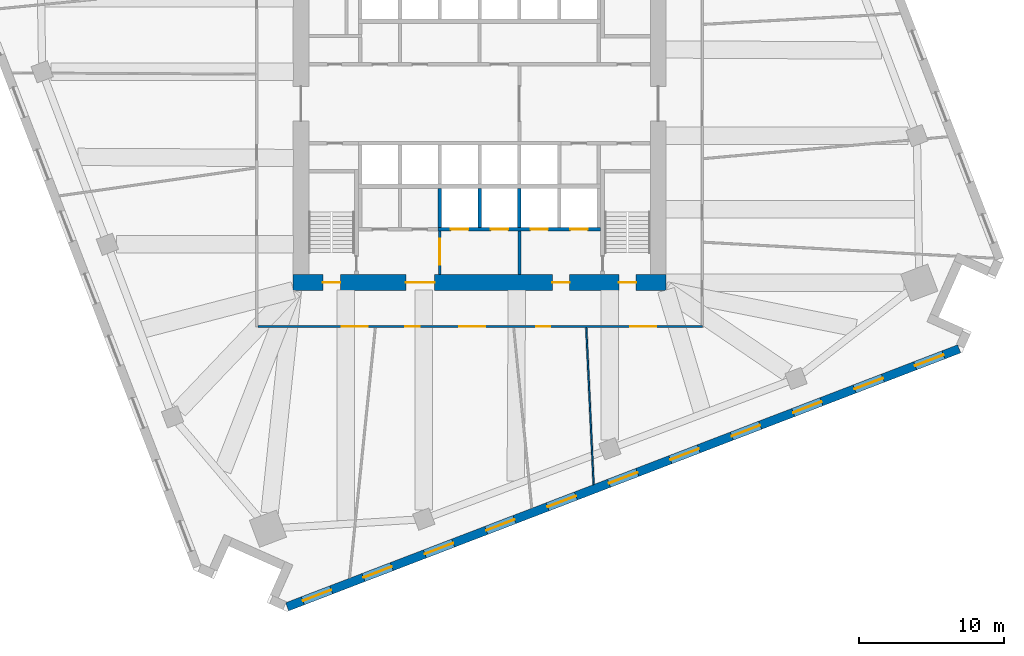
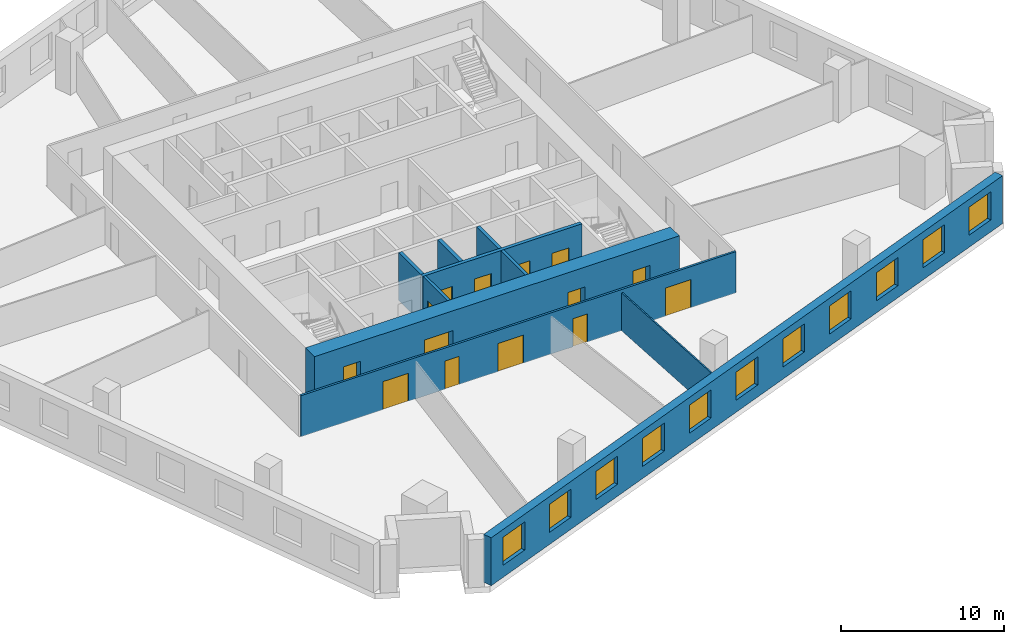
# One storey, part 8 of 14: 14 doors, 11 windows, 10 walls, 25 openings.
"""IFC4 building model written with IfcOpenShell, lengths in metres."""

from ifc_helpers import new_model, si_unit, direction, frame, frame_2d, origin, place, context, subcontext, project, spatial, rectangle, extrude, material, layer, layer_set, type_object, element, fill, save


model = new_model("IFC4")

# Units and contexts
model_context = context("Model", 3, precision=1e-05, world=origin(), true_north=direction((0.0, 1.0)))
body_context = subcontext(model_context, "Body", "Model", "MODEL_VIEW")
ifc_project = project(units=[si_unit("LENGTHUNIT", "METRE"), si_unit("AREAUNIT", "SQUARE_METRE"), si_unit("VOLUMEUNIT", "CUBIC_METRE"), si_unit("PLANEANGLEUNIT", "RADIAN"), si_unit("MASSUNIT", "GRAM", prefix="KILO")], contexts=[model_context])

# Site, building, storey
site_placement = place(None, origin())
site = spatial("IfcSite", under=ifc_project, at=site_placement, CompositionType="ELEMENT")
building_placement = place(site_placement, origin())
building = spatial("IfcBuilding", under=site, at=building_placement, Name="Dilmun Exchange Tower", CompositionType="ELEMENT")
storey_placement = place(building_placement, frame((0.0, 0.0, 106.10009765625)))
storey = spatial("IfcBuildingStorey", under=building, at=storey_placement, Name="L24", CompositionType="ELEMENT", Elevation=106.10009765625)

# Wall, opening, door
ifc_material_1 = material(Name="Concrete C40/50", Category="concrete")
ifc_layer_1 = layer(ifc_material_1, 0.199951171875)
ifc_layer_set_1 = layer_set([ifc_layer_1], Name="Concrete C40/50")
wall_type_1 = type_object("IfcWallType", Name="Core partition wall 200", PredefinedType="PARTITIONING", material=ifc_layer_set_1)
wall_1_placement = place(storey_placement, frame((-2.75, -11.794921875, 0.0), z_axis=(0.0, 0.0, 1.0), x_axis=(0.0, 1.0, 0.0)))
wall_1 = element("IfcWall", 1, at=wall_1_placement, inside=storey, type_object=wall_type_1, Name="L24 core partition wall 01", PredefinedType="PARTITIONING", context=body_context, shape_type="SweptSolid", body=[
    extrude(rectangle(XDim=2.989990234375, YDim=0.199951171875, at=frame_2d((1.4951171875, 0.0))), origin(), (0.0, 0.0, 1.0), 3.579833984375),
])
opening_1_placement = place(wall_1_placement, frame((0.657470703125, 0.0, 0.0)))
opening_1 = element("IfcOpeningElement", 2, at=opening_1_placement, cuts=wall_1, Name="Opening CD5", PredefinedType="OPENING", context=body_context, shape_type="SweptSolid", body=[
    extrude(rectangle(XDim=1.800048828125, YDim=2.10009765625, at=frame_2d((0.89990234375, 1.050048828125))), frame((0.0, 0.10986328125, 0.0), z_axis=(0.0, -1.0, 0.0), x_axis=(1.0, 0.0, 0.0)), (0.0, 0.0, 1.0), 0.219970703125),
])
ifc_material_2 = material(Name="Fire-rated steel door set", Category="steel")
door_type_1 = type_object("IfcDoorType", Name="Stair exit door 1800x2100", OperationType="SINGLE_SWING_LEFT", PredefinedType="DOOR", material=ifc_material_2)
door_1_placement = place(opening_1_placement, origin())
door_1 = element("IfcDoor", 3, at=door_1_placement, inside=storey, type_object=door_type_1, Name="L24 door Service lobby east", OperationType="SINGLE_SWING_LEFT", OverallHeight=2.10009765625, OverallWidth=1.800048828125, PredefinedType="DOOR", context=body_context, shape_type="SweptSolid", body=[
    extrude(rectangle(XDim=1.800048828125, YDim=2.10009765625, at=frame_2d((0.89990234375, 1.050048828125))), frame((0.0, 0.02490234375, 0.0), z_axis=(0.0, -1.0, 0.0), x_axis=(1.0, 0.0, 0.0)), (0.0, 0.0, 1.0), 0.050048828125),
])
fill(opening_1, door_1)

# Wall
wall_2_placement = place(storey_placement, frame((2.75, -11.794921875, 0.0), z_axis=(0.0, 0.0, 1.0), x_axis=(0.0, 1.0, 0.0)))
element("IfcWall", 4, at=wall_2_placement, inside=storey, type_object=wall_type_1, Name="L24 core partition wall 02", PredefinedType="PARTITIONING", context=body_context, shape_type="SweptSolid", body=[
    extrude(rectangle(XDim=2.989990234375, YDim=0.199951171875, at=frame_2d((1.4951171875, 0.0))), origin(), (0.0, 0.0, 1.0), 3.579833984375),
])

# Wall, openings, doors
ifc_material_3 = material(Name="Concrete C80/95", Category="concrete")
ifc_layer_2 = layer(ifc_material_3, 1.10009765625)
ifc_layer_set_2 = layer_set([ifc_layer_2], Name="Concrete C80/95")
wall_type_2 = type_object("IfcWallType", Name="Core shear wall 1100 Concrete C80/95", PredefinedType="SHEAR", material=ifc_layer_set_2)
wall_3_placement = place(storey_placement, frame((-12.89990234375, -12.35009765625, 0.0), z_axis=(0.0, 0.0, 1.0), x_axis=(1.0, 0.0, 0.0)))
wall_3 = element("IfcWall", 5, at=wall_3_placement, inside=storey, type_object=wall_type_2, Name="L24 core shear wall S", PredefinedType="SHEAR", context=body_context, shape_type="SweptSolid", body=[
    extrude(rectangle(XDim=25.7998046875, YDim=1.10009765625, at=frame_2d((12.89990234375, 0.0))), origin(), (0.0, 0.0, 1.0), 3.579833984375),
])
opening_2_placement = place(wall_3_placement, frame((7.800048828125, 0.0, 0.0)))
opening_2 = element("IfcOpeningElement", 6, at=opening_2_placement, cuts=wall_3, Name="Opening CD2", PredefinedType="OPENING", context=body_context, shape_type="SweptSolid", body=[
    extrude(rectangle(XDim=2.0, YDim=2.10009765625, at=frame_2d((1.0, 1.050048828125))), frame((0.0, 0.56005859375, 0.0), z_axis=(0.0, -1.0, 0.0), x_axis=(1.0, 0.0, 0.0)), (0.0, 0.0, 1.0), 1.1201171875),
])
opening_3_placement = place(wall_3_placement, frame((17.925048828125, 0.0, 0.0)))
opening_3 = element("IfcOpeningElement", 7, at=opening_3_placement, cuts=wall_3, Name="Opening CD3", PredefinedType="OPENING", context=body_context, shape_type="SweptSolid", body=[
    extrude(rectangle(XDim=1.199951171875, YDim=2.10009765625, at=frame_2d((0.60009765625, 1.050048828125))), frame((0.0, 0.56005859375, 0.0), z_axis=(0.0, -1.0, 0.0), x_axis=(1.0, 0.0, 0.0)), (0.0, 0.0, 1.0), 1.1201171875),
])
opening_4_placement = place(wall_3_placement, frame((2.074951171875, 0.0, 0.0)))
opening_4 = element("IfcOpeningElement", 8, at=opening_4_placement, cuts=wall_3, Name="Opening CD3", PredefinedType="OPENING", context=body_context, shape_type="SweptSolid", body=[
    extrude(rectangle(XDim=1.199951171875, YDim=2.10009765625, at=frame_2d((0.60009765625, 1.050048828125))), frame((0.0, 0.56005859375, 0.0), z_axis=(0.0, -1.0, 0.0), x_axis=(1.0, 0.0, 0.0)), (0.0, 0.0, 1.0), 1.1201171875),
])
opening_5_placement = place(wall_3_placement, frame((22.52490234375, 0.0, 0.0)))
opening_5 = element("IfcOpeningElement", 9, at=opening_5_placement, cuts=wall_3, Name="Opening CD3", PredefinedType="OPENING", context=body_context, shape_type="SweptSolid", body=[
    extrude(rectangle(XDim=1.199951171875, YDim=2.10009765625, at=frame_2d((0.60009765625, 1.050048828125))), frame((0.0, 0.56005859375, 0.0), z_axis=(0.0, -1.0, 0.0), x_axis=(1.0, 0.0, 0.0)), (0.0, 0.0, 1.0), 1.1201171875),
])
door_type_2 = type_object("IfcDoorType", Name="Core service door 2000x2100", OperationType="DOUBLE_DOOR_DOUBLE_SWING", PredefinedType="DOOR", material=ifc_material_2)
door_2_placement = place(opening_2_placement, origin())
door_2 = element("IfcDoor", 10, at=door_2_placement, inside=storey, type_object=door_type_2, Name="L24 door South service lobby", OperationType="SINGLE_SWING_LEFT", OverallHeight=2.10009765625, OverallWidth=2.0, PredefinedType="DOOR", context=body_context, shape_type="SweptSolid", body=[
    extrude(rectangle(XDim=2.0, YDim=2.10009765625, at=frame_2d((1.0, 1.050048828125))), frame((0.0, 0.02490234375, 0.0), z_axis=(0.0, -1.0, 0.0), x_axis=(1.0, 0.0, 0.0)), (0.0, 0.0, 1.0), 0.050048828125),
])
fill(opening_2, door_2)
door_type_3 = type_object("IfcDoorType", Name="Stair exit door 1200x2100", OperationType="SINGLE_SWING_LEFT", PredefinedType="DOOR", material=ifc_material_2)
door_3_placement = place(opening_3_placement, origin())
door_3 = element("IfcDoor", 11, at=door_3_placement, inside=storey, type_object=door_type_3, Name="L24 door Fire-fighting lobby", OperationType="SINGLE_SWING_LEFT", OverallHeight=2.10009765625, OverallWidth=1.199951171875, PredefinedType="DOOR", context=body_context, shape_type="SweptSolid", body=[
    extrude(rectangle(XDim=1.199951171875, YDim=2.10009765625, at=frame_2d((0.60009765625, 1.050048828125))), frame((0.0, 0.02490234375, 0.0), z_axis=(0.0, -1.0, 0.0), x_axis=(1.0, 0.0, 0.0)), (0.0, 0.0, 1.0), 0.050048828125),
])
fill(opening_3, door_3)
door_4_placement = place(opening_4_placement, origin())
door_4 = element("IfcDoor", 12, at=door_4_placement, inside=storey, type_object=door_type_3, Name="L24 door Stair ST2", OperationType="SINGLE_SWING_LEFT", OverallHeight=2.10009765625, OverallWidth=1.199951171875, PredefinedType="DOOR", context=body_context, shape_type="SweptSolid", body=[
    extrude(rectangle(XDim=1.199951171875, YDim=2.10009765625, at=frame_2d((0.60009765625, 1.050048828125))), frame((0.0, 0.02490234375, 0.0), z_axis=(0.0, -1.0, 0.0), x_axis=(1.0, 0.0, 0.0)), (0.0, 0.0, 1.0), 0.050048828125),
])
fill(opening_4, door_4)
door_5_placement = place(opening_5_placement, origin())
door_5 = element("IfcDoor", 13, at=door_5_placement, inside=storey, type_object=door_type_3, Name="L24 door Stair ST3", OperationType="SINGLE_SWING_LEFT", OverallHeight=2.10009765625, OverallWidth=1.199951171875, PredefinedType="DOOR", context=body_context, shape_type="SweptSolid", body=[
    extrude(rectangle(XDim=1.199951171875, YDim=2.10009765625, at=frame_2d((0.60009765625, 1.050048828125))), frame((0.0, 0.02490234375, 0.0), z_axis=(0.0, -1.0, 0.0), x_axis=(1.0, 0.0, 0.0)), (0.0, 0.0, 1.0), 0.050048828125),
])
fill(opening_5, door_5)

ifc_material_4 = material(Name="Corridor wall 150")
ifc_layer_3 = layer(ifc_material_4, 0.14990234375)
ifc_layer_set_3 = layer_set([ifc_layer_3], Name="Corridor wall 150")
wall_type_3 = type_object("IfcWallType", Name="Corridor wall 150", PredefinedType="PARTITIONING", material=ifc_layer_set_3)
wall_4_placement = place(storey_placement, frame((-15.324951171875, -15.39990234375, 0.0), z_axis=(0.0, 0.0, 1.0), x_axis=(1.0, 0.0, 0.0)))
wall_4 = element("IfcWall", 14, at=wall_4_placement, inside=storey, type_object=wall_type_3, Name="Corridor wall", PredefinedType="PARTITIONING", context=body_context, shape_type="SweptSolid", body=[
    extrude(rectangle(XDim=30.724853515625, YDim=0.14990234375, at=frame_2d((15.3623046875, 0.0))), origin(), (0.0, 0.0, 1.0), 3.079833984375),
])
opening_6_placement = place(wall_4_placement, frame((5.800048828125, 0.0, 0.0)))
opening_6 = element("IfcOpeningElement", 15, at=opening_6_placement, cuts=wall_4, Name="Opening TF23-D05", PredefinedType="OPENING", context=body_context, shape_type="SweptSolid", body=[
    extrude(rectangle(XDim=1.800048828125, YDim=2.10009765625, at=frame_2d((0.89990234375, 1.050048828125))), frame((0.0, 0.0849609375, 0.0), z_axis=(0.0, -1.0, 0.0), x_axis=(1.0, 0.0, 0.0)), (0.0, 0.0, 1.0), 0.169921875),
])
opening_7_placement = place(wall_4_placement, frame((13.92333984375, 0.0, 0.0)))
opening_7 = element("IfcOpeningElement", 16, at=opening_7_placement, cuts=wall_4, Name="Opening TF23-D08", PredefinedType="OPENING", context=body_context, shape_type="SweptSolid", body=[
    extrude(rectangle(XDim=1.800048828125, YDim=2.10009765625, at=frame_2d((0.89990234375, 1.050048828125))), frame((0.0, 0.0849609375, 0.0), z_axis=(0.0, -1.0, 0.0), x_axis=(1.0, 0.0, 0.0)), (0.0, 0.0, 1.0), 0.169921875),
])
opening_8_placement = place(wall_4_placement, frame((10.17333984375, 0.0, 0.0)))
opening_8 = element("IfcOpeningElement", 17, at=opening_8_placement, cuts=wall_4, Name="Opening TF23-D09", PredefinedType="OPENING", context=body_context, shape_type="SweptSolid", body=[
    extrude(rectangle(XDim=1.0, YDim=2.10009765625, at=frame_2d((0.5, 1.050048828125))), frame((0.0, 0.0849609375, 0.0), z_axis=(0.0, -1.0, 0.0), x_axis=(1.0, 0.0, 0.0)), (0.0, 0.0, 1.0), 0.169921875),
])
opening_9_placement = place(wall_4_placement, frame((19.227294921875, 0.0, 0.0)))
opening_9 = element("IfcOpeningElement", 18, at=opening_9_placement, cuts=wall_4, Name="Opening TF23-D12", PredefinedType="OPENING", context=body_context, shape_type="SweptSolid", body=[
    extrude(rectangle(XDim=1.0, YDim=2.10009765625, at=frame_2d((0.5, 1.050048828125))), frame((0.0, 0.0849609375, 0.0), z_axis=(0.0, -1.0, 0.0), x_axis=(1.0, 0.0, 0.0)), (0.0, 0.0, 1.0), 0.169921875),
])
opening_10_placement = place(wall_4_placement, frame((25.74560546875, 0.0, 0.0)))
opening_10 = element("IfcOpeningElement", 19, at=opening_10_placement, cuts=wall_4, Name="Opening TF23-D15", PredefinedType="OPENING", context=body_context, shape_type="SweptSolid", body=[
    extrude(rectangle(XDim=1.800048828125, YDim=2.10009765625, at=frame_2d((0.89990234375, 1.050048828125))), frame((0.0, 0.0849609375, 0.0), z_axis=(0.0, -1.0, 0.0), x_axis=(1.0, 0.0, 0.0)), (0.0, 0.0, 1.0), 0.169921875),
])
ifc_material_5 = material(Name="Fire door 1000 x 2100")
door_type_4 = type_object("IfcDoorType", Name="Fire door 1000 x 2100", OperationType="NOTDEFINED", PredefinedType="DOOR", material=ifc_material_5)
door_6_placement = place(opening_8_placement, frame((1.0, 0.0, 0.0), z_axis=(0.0, 0.0, 1.0), x_axis=(-1.0, 0.0, 0.0)))
door_6 = element("IfcDoor", 20, at=door_6_placement, inside=storey, type_object=door_type_4, Name="Door TF23-D09", OperationType="SINGLE_SWING_RIGHT", OverallHeight=2.10009765625, OverallWidth=1.0, PredefinedType="DOOR", context=body_context, shape_type="SweptSolid", body=[
    extrude(rectangle(XDim=1.0, YDim=2.10009765625, at=frame_2d((0.5, 1.050048828125))), frame((0.0, 0.02490234375, 0.0), z_axis=(0.0, -1.0, 0.0), x_axis=(1.0, 0.0, 0.0)), (0.0, 0.0, 1.0), 0.050048828125),
])
fill(opening_8, door_6)
door_7_placement = place(opening_9_placement, frame((1.0, 0.0, 0.0), z_axis=(0.0, 0.0, 1.0), x_axis=(-1.0, 0.0, 0.0)))
door_7 = element("IfcDoor", 21, at=door_7_placement, inside=storey, type_object=door_type_4, Name="Door TF23-D12", OperationType="SINGLE_SWING_LEFT", OverallHeight=2.10009765625, OverallWidth=1.0, PredefinedType="DOOR", context=body_context, shape_type="SweptSolid", body=[
    extrude(rectangle(XDim=1.0, YDim=2.10009765625, at=frame_2d((0.5, 1.050048828125))), frame((0.0, 0.02490234375, 0.0), z_axis=(0.0, -1.0, 0.0), x_axis=(1.0, 0.0, 0.0)), (0.0, 0.0, 1.0), 0.050048828125),
])
fill(opening_9, door_7)
ifc_material_6 = material(Name="Fire door pair 1800 x 2100")
door_type_5 = type_object("IfcDoorType", Name="Fire door pair 1800 x 2100", OperationType="NOTDEFINED", PredefinedType="DOOR", material=ifc_material_6)
door_8_placement = place(opening_6_placement, frame((1.800048828125, 0.0, 0.0), z_axis=(0.0, 0.0, 1.0), x_axis=(-1.0, 0.0, 0.0)))
door_8 = element("IfcDoor", 22, at=door_8_placement, inside=storey, type_object=door_type_5, Name="Door TF23-D05", OperationType="DOUBLE_DOOR_SINGLE_SWING", OverallHeight=2.10009765625, OverallWidth=1.800048828125, PredefinedType="DOOR", context=body_context, shape_type="SweptSolid", body=[
    extrude(rectangle(XDim=1.800048828125, YDim=2.10009765625, at=frame_2d((0.89990234375, 1.050048828125))), frame((0.0, 0.02490234375, 0.0), z_axis=(0.0, -1.0, 0.0), x_axis=(1.0, 0.0, 0.0)), (0.0, 0.0, 1.0), 0.050048828125),
])
fill(opening_6, door_8)
door_9_placement = place(opening_7_placement, frame((1.800048828125, 0.0, 0.0), z_axis=(0.0, 0.0, 1.0), x_axis=(-1.0, 0.0, 0.0)))
door_9 = element("IfcDoor", 23, at=door_9_placement, inside=storey, type_object=door_type_5, Name="Door TF23-D08", OperationType="DOUBLE_DOOR_SINGLE_SWING", OverallHeight=2.10009765625, OverallWidth=1.800048828125, PredefinedType="DOOR", context=body_context, shape_type="SweptSolid", body=[
    extrude(rectangle(XDim=1.800048828125, YDim=2.10009765625, at=frame_2d((0.89990234375, 1.050048828125))), frame((0.0, 0.02490234375, 0.0), z_axis=(0.0, -1.0, 0.0), x_axis=(1.0, 0.0, 0.0)), (0.0, 0.0, 1.0), 0.050048828125),
])
fill(opening_7, door_9)
door_10_placement = place(opening_10_placement, frame((1.800048828125, 0.0, 0.0), z_axis=(0.0, 0.0, 1.0), x_axis=(-1.0, 0.0, 0.0)))
door_10 = element("IfcDoor", 24, at=door_10_placement, inside=storey, type_object=door_type_5, Name="Door TF23-D15", OperationType="DOUBLE_DOOR_SINGLE_SWING", OverallHeight=2.10009765625, OverallWidth=1.800048828125, PredefinedType="DOOR", context=body_context, shape_type="SweptSolid", body=[
    extrude(rectangle(XDim=1.800048828125, YDim=2.10009765625, at=frame_2d((0.89990234375, 1.050048828125))), frame((0.0, 0.02490234375, 0.0), z_axis=(0.0, -1.0, 0.0), x_axis=(1.0, 0.0, 0.0)), (0.0, 0.0, 1.0), 0.050048828125),
])
fill(opening_10, door_10)

ifc_layer_4 = layer(ifc_material_1, 0.25)
ifc_layer_set_4 = layer_set([ifc_layer_4], Name="Concrete C40/50")
wall_type_4 = type_object("IfcWallType", Name="Lift shaft wall 250", PredefinedType="SOLIDWALL", material=ifc_layer_set_4)
wall_5_placement = place(storey_placement, frame((-2.875, -8.675048828125, 0.0), z_axis=(0.0, 0.0, 1.0), x_axis=(1.0, 0.0, 0.0)))
wall_5 = element("IfcWall", 25, at=wall_5_placement, inside=storey, type_object=wall_type_4, Name="L24 lift shaft front wall S2", PredefinedType="SOLIDWALL", context=body_context, shape_type="SweptSolid", body=[
    extrude(rectangle(XDim=11.25, YDim=0.25, at=frame_2d((5.625, 0.0))), origin(), (0.0, 0.0, 1.0), 3.579833984375),
])
opening_11_placement = place(wall_5_placement, frame((0.89990234375, 0.0, 0.0)))
opening_11 = element("IfcOpeningElement", 26, at=opening_11_placement, cuts=wall_5, Name="Opening LD", PredefinedType="OPENING", context=body_context, shape_type="SweptSolid", body=[
    extrude(rectangle(XDim=1.199951171875, YDim=2.10009765625, at=frame_2d((0.60009765625, 1.050048828125))), frame((0.0, 0.135009765625, 0.0), z_axis=(0.0, -1.0, 0.0), x_axis=(1.0, 0.0, 0.0)), (0.0, 0.0, 1.0), 0.27001953125),
])
opening_12_placement = place(wall_5_placement, frame((3.64990234375, 0.0, 0.0)))
opening_12 = element("IfcOpeningElement", 27, at=opening_12_placement, cuts=wall_5, Name="Opening LD", PredefinedType="OPENING", context=body_context, shape_type="SweptSolid", body=[
    extrude(rectangle(XDim=1.199951171875, YDim=2.10009765625, at=frame_2d((0.60009765625, 1.050048828125))), frame((0.0, 0.135009765625, 0.0), z_axis=(0.0, -1.0, 0.0), x_axis=(1.0, 0.0, 0.0)), (0.0, 0.0, 1.0), 0.27001953125),
])
opening_13_placement = place(wall_5_placement, frame((6.39990234375, 0.0, 0.0)))
opening_13 = element("IfcOpeningElement", 28, at=opening_13_placement, cuts=wall_5, Name="Opening LD", PredefinedType="OPENING", context=body_context, shape_type="SweptSolid", body=[
    extrude(rectangle(XDim=1.199951171875, YDim=2.10009765625, at=frame_2d((0.60009765625, 1.050048828125))), frame((0.0, 0.135009765625, 0.0), z_axis=(0.0, -1.0, 0.0), x_axis=(1.0, 0.0, 0.0)), (0.0, 0.0, 1.0), 0.27001953125),
])
opening_14_placement = place(wall_5_placement, frame((9.14990234375, 0.0, 0.0)))
opening_14 = element("IfcOpeningElement", 29, at=opening_14_placement, cuts=wall_5, Name="Opening LD", PredefinedType="OPENING", context=body_context, shape_type="SweptSolid", body=[
    extrude(rectangle(XDim=1.199951171875, YDim=2.10009765625, at=frame_2d((0.60009765625, 1.050048828125))), frame((0.0, 0.135009765625, 0.0), z_axis=(0.0, -1.0, 0.0), x_axis=(1.0, 0.0, 0.0)), (0.0, 0.0, 1.0), 0.27001953125),
])
door_type_6 = type_object("IfcDoorType", Name="Lift landing door 1200x2100", OperationType="DOUBLE_DOOR_SLIDING", PredefinedType="DOOR", material=ifc_material_2)
door_11_placement = place(opening_11_placement, origin())
door_11 = element("IfcDoor", 30, at=door_11_placement, inside=storey, type_object=door_type_6, Name="L24 landing door SV1", OperationType="DOUBLE_DOOR_SLIDING", OverallHeight=2.10009765625, OverallWidth=1.199951171875, PredefinedType="DOOR", context=body_context, shape_type="SweptSolid", body=[
    extrude(rectangle(XDim=1.199951171875, YDim=2.10009765625, at=frame_2d((0.60009765625, 1.050048828125))), frame((0.0, 0.02490234375, 0.0), z_axis=(0.0, -1.0, 0.0), x_axis=(1.0, 0.0, 0.0)), (0.0, 0.0, 1.0), 0.050048828125),
])
fill(opening_11, door_11)
door_12_placement = place(opening_12_placement, origin())
door_12 = element("IfcDoor", 31, at=door_12_placement, inside=storey, type_object=door_type_6, Name="L24 landing door SV2", OperationType="DOUBLE_DOOR_SLIDING", OverallHeight=2.10009765625, OverallWidth=1.199951171875, PredefinedType="DOOR", context=body_context, shape_type="SweptSolid", body=[
    extrude(rectangle(XDim=1.199951171875, YDim=2.10009765625, at=frame_2d((0.60009765625, 1.050048828125))), frame((0.0, 0.02490234375, 0.0), z_axis=(0.0, -1.0, 0.0), x_axis=(1.0, 0.0, 0.0)), (0.0, 0.0, 1.0), 0.050048828125),
])
fill(opening_12, door_12)
door_13_placement = place(opening_13_placement, origin())
door_13 = element("IfcDoor", 32, at=door_13_placement, inside=storey, type_object=door_type_6, Name="L24 landing door FF1", OperationType="DOUBLE_DOOR_SLIDING", OverallHeight=2.10009765625, OverallWidth=1.199951171875, PredefinedType="DOOR", context=body_context, shape_type="SweptSolid", body=[
    extrude(rectangle(XDim=1.199951171875, YDim=2.10009765625, at=frame_2d((0.60009765625, 1.050048828125))), frame((0.0, 0.02490234375, 0.0), z_axis=(0.0, -1.0, 0.0), x_axis=(1.0, 0.0, 0.0)), (0.0, 0.0, 1.0), 0.050048828125),
])
fill(opening_13, door_13)
door_14_placement = place(opening_14_placement, origin())
door_14 = element("IfcDoor", 33, at=door_14_placement, inside=storey, type_object=door_type_6, Name="L24 landing door FF2", OperationType="DOUBLE_DOOR_SLIDING", OverallHeight=2.10009765625, OverallWidth=1.199951171875, PredefinedType="DOOR", context=body_context, shape_type="SweptSolid", body=[
    extrude(rectangle(XDim=1.199951171875, YDim=2.10009765625, at=frame_2d((0.60009765625, 1.050048828125))), frame((0.0, 0.02490234375, 0.0), z_axis=(0.0, -1.0, 0.0), x_axis=(1.0, 0.0, 0.0)), (0.0, 0.0, 1.0), 0.050048828125),
])
fill(opening_14, door_14)

# Walls
for number, where, z_axis, x_axis, name in (
    (34, (-2.75, -8.550048828125, 0.0), (0.0, 0.0, 1.0), (0.0, 1.0, 0.0), "L24 lift shaft divider S22"),
    (35, (0.0, -8.550048828125, 0.0), (0.0, 0.0, 1.0), (0.0, 1.0, 0.0), "L24 lift shaft divider S23"),
    (36, (2.75, -8.550048828125, 0.0), (0.0, 0.0, 1.0), (0.0, 1.0, 0.0), "L24 lift shaft divider S24"),
):
    element("IfcWall", number, at=place(storey_placement, frame(where, z_axis=z_axis, x_axis=x_axis)), inside=storey, type_object=wall_type_4, Name=name, PredefinedType="SOLIDWALL", context=body_context, shape_type="SweptSolid", body=[
        extrude(rectangle(XDim=2.699951171875, YDim=0.25, at=frame_2d((1.35009765625, 0.0))), origin(), (0.0, 0.0, 1.0), 3.579833984375),
    ])
ifc_material_7 = material(Name="Partition 100")
ifc_layer_5 = layer(ifc_material_7, 0.10009765625)
ifc_layer_set_5 = layer_set([ifc_layer_5], Name="Partition 100")
wall_type_5 = type_object("IfcWallType", Name="Partition 100", PredefinedType="PARTITIONING", material=ifc_layer_set_5)
wall_6_placement = place(storey_placement, frame((7.37451171875, -15.477294921875, 0.0), z_axis=(0.0, 0.0, 1.0), x_axis=(0.046868466971, -0.998901069578, 0.0)))
element("IfcWall", 37, at=wall_6_placement, inside=storey, type_object=wall_type_5, Name="Partition", PredefinedType="PARTITIONING", context=body_context, shape_type="SweptSolid", body=[
    extrude(rectangle(XDim=10.855712890625, YDim=0.10009765625, at=frame_2d((5.427734375, 0.0))), origin(), (0.0, 0.0, 1.0), 2.829833984375),
])

# Wall, openings, windows
ifc_material_8 = material(Name="Precast concrete C50/60", Category="concrete")
ifc_layer_6 = layer(ifc_material_8, 0.60009765625)
ifc_layer_set_6 = layer_set([ifc_layer_6], Name="Precast concrete C50/60")
wall_type_6 = type_object("IfcWallType", Name="Precast stone-clad wall 600", PredefinedType="STANDARD", material=ifc_layer_set_6)
wall_7_placement = place(storey_placement, frame((-13.296630859375, -34.77490234375, 0.0), z_axis=(0.0, 0.0, 1.0), x_axis=(0.933580395424, 0.358368030494, 0.0)))
wall_7 = element("IfcWall", 38, at=wall_7_placement, inside=storey, type_object=wall_type_6, Name="Facade wall L24-15", PredefinedType="STANDARD", context=body_context, shape_type="SweptSolid", body=[
    extrude(rectangle(XDim=49.75146484375, YDim=0.60009765625, at=frame_2d((24.875732421875, 0.0))), origin(), (0.0, 0.0, 1.0), 3.579833984375),
])
opening_15_placement = place(wall_7_placement, frame((1.16064453125, 0.0, 0.89990234375)))
opening_15 = element("IfcOpeningElement", 39, at=opening_15_placement, cuts=wall_7, Name="Opening W210-210", PredefinedType="OPENING", context=body_context, shape_type="SweptSolid", body=[
    extrude(rectangle(XDim=2.10009765625, YDim=2.10009765625, at=frame_2d((1.050048828125, 1.050048828125))), frame((0.0, 0.31005859375, 0.0), z_axis=(0.0, -1.0, 0.0), x_axis=(1.0, 0.0, 0.0)), (0.0, 0.0, 1.0), 0.6201171875),
])
opening_16_placement = place(wall_7_placement, frame((5.643798828125, 0.0, 0.89990234375)))
opening_16 = element("IfcOpeningElement", 40, at=opening_16_placement, cuts=wall_7, Name="Opening W210-210", PredefinedType="OPENING", context=body_context, shape_type="SweptSolid", body=[
    extrude(rectangle(XDim=2.10009765625, YDim=2.10009765625, at=frame_2d((1.050048828125, 1.050048828125))), frame((0.0, 0.31005859375, 0.0), z_axis=(0.0, -1.0, 0.0), x_axis=(1.0, 0.0, 0.0)), (0.0, 0.0, 1.0), 0.6201171875),
])
opening_17_placement = place(wall_7_placement, frame((10.189453125, 0.0, 0.89990234375)))
opening_17 = element("IfcOpeningElement", 41, at=opening_17_placement, cuts=wall_7, Name="Opening W210-210", PredefinedType="OPENING", context=body_context, shape_type="SweptSolid", body=[
    extrude(rectangle(XDim=2.10009765625, YDim=2.10009765625, at=frame_2d((1.050048828125, 1.050048828125))), frame((0.0, 0.31005859375, 0.0), z_axis=(0.0, -1.0, 0.0), x_axis=(1.0, 0.0, 0.0)), (0.0, 0.0, 1.0), 0.6201171875),
])
opening_18_placement = place(wall_7_placement, frame((14.73486328125, 0.0, 0.89990234375)))
opening_18 = element("IfcOpeningElement", 42, at=opening_18_placement, cuts=wall_7, Name="Opening W210-210", PredefinedType="OPENING", context=body_context, shape_type="SweptSolid", body=[
    extrude(rectangle(XDim=2.10009765625, YDim=2.10009765625, at=frame_2d((1.050048828125, 1.050048828125))), frame((0.0, 0.31005859375, 0.0), z_axis=(0.0, -1.0, 0.0), x_axis=(1.0, 0.0, 0.0)), (0.0, 0.0, 1.0), 0.6201171875),
])
opening_19_placement = place(wall_7_placement, frame((19.2802734375, 0.0, 0.89990234375)))
opening_19 = element("IfcOpeningElement", 43, at=opening_19_placement, cuts=wall_7, Name="Opening W210-210", PredefinedType="OPENING", context=body_context, shape_type="SweptSolid", body=[
    extrude(rectangle(XDim=2.10009765625, YDim=2.10009765625, at=frame_2d((1.050048828125, 1.050048828125))), frame((0.0, 0.31005859375, 0.0), z_axis=(0.0, -1.0, 0.0), x_axis=(1.0, 0.0, 0.0)), (0.0, 0.0, 1.0), 0.6201171875),
])
opening_20_placement = place(wall_7_placement, frame((23.82568359375, 0.0, 0.89990234375)))
opening_20 = element("IfcOpeningElement", 44, at=opening_20_placement, cuts=wall_7, Name="Opening W210-210", PredefinedType="OPENING", context=body_context, shape_type="SweptSolid", body=[
    extrude(rectangle(XDim=2.10009765625, YDim=2.10009765625, at=frame_2d((1.050048828125, 1.050048828125))), frame((0.0, 0.31005859375, 0.0), z_axis=(0.0, -1.0, 0.0), x_axis=(1.0, 0.0, 0.0)), (0.0, 0.0, 1.0), 0.6201171875),
])
opening_21_placement = place(wall_7_placement, frame((28.37109375, 0.0, 0.89990234375)))
opening_21 = element("IfcOpeningElement", 45, at=opening_21_placement, cuts=wall_7, Name="Opening W210-210", PredefinedType="OPENING", context=body_context, shape_type="SweptSolid", body=[
    extrude(rectangle(XDim=2.10009765625, YDim=2.10009765625, at=frame_2d((1.050048828125, 1.050048828125))), frame((0.0, 0.31005859375, 0.0), z_axis=(0.0, -1.0, 0.0), x_axis=(1.0, 0.0, 0.0)), (0.0, 0.0, 1.0), 0.6201171875),
])
opening_22_placement = place(wall_7_placement, frame((32.91650390625, 0.0, 0.89990234375)))
opening_22 = element("IfcOpeningElement", 46, at=opening_22_placement, cuts=wall_7, Name="Opening W210-210", PredefinedType="OPENING", context=body_context, shape_type="SweptSolid", body=[
    extrude(rectangle(XDim=2.10009765625, YDim=2.10009765625, at=frame_2d((1.050048828125, 1.050048828125))), frame((0.0, 0.31005859375, 0.0), z_axis=(0.0, -1.0, 0.0), x_axis=(1.0, 0.0, 0.0)), (0.0, 0.0, 1.0), 0.6201171875),
])
opening_23_placement = place(wall_7_placement, frame((37.462158203125, 0.0, 0.89990234375)))
opening_23 = element("IfcOpeningElement", 47, at=opening_23_placement, cuts=wall_7, Name="Opening W210-210", PredefinedType="OPENING", context=body_context, shape_type="SweptSolid", body=[
    extrude(rectangle(XDim=2.10009765625, YDim=2.10009765625, at=frame_2d((1.050048828125, 1.050048828125))), frame((0.0, 0.31005859375, 0.0), z_axis=(0.0, -1.0, 0.0), x_axis=(1.0, 0.0, 0.0)), (0.0, 0.0, 1.0), 0.6201171875),
])
opening_24_placement = place(wall_7_placement, frame((42.007568359375, 0.0, 0.89990234375)))
opening_24 = element("IfcOpeningElement", 48, at=opening_24_placement, cuts=wall_7, Name="Opening W210-210", PredefinedType="OPENING", context=body_context, shape_type="SweptSolid", body=[
    extrude(rectangle(XDim=2.10009765625, YDim=2.10009765625, at=frame_2d((1.050048828125, 1.050048828125))), frame((0.0, 0.31005859375, 0.0), z_axis=(0.0, -1.0, 0.0), x_axis=(1.0, 0.0, 0.0)), (0.0, 0.0, 1.0), 0.6201171875),
])
opening_25_placement = place(wall_7_placement, frame((46.490966796875, 0.0, 0.89990234375)))
opening_25 = element("IfcOpeningElement", 49, at=opening_25_placement, cuts=wall_7, Name="Opening W210-210", PredefinedType="OPENING", context=body_context, shape_type="SweptSolid", body=[
    extrude(rectangle(XDim=2.10009765625, YDim=2.10009765625, at=frame_2d((1.050048828125, 1.050048828125))), frame((0.0, 0.31005859375, 0.0), z_axis=(0.0, -1.0, 0.0), x_axis=(1.0, 0.0, 0.0)), (0.0, 0.0, 1.0), 0.6201171875),
])
ifc_material_9 = material(Name="Clear low-emissivity glass in aluminium frame", Category="aluminium")
window_type = type_object("IfcWindowType", Name="Punched window 2100 x 2100", PartitioningType="DOUBLE_PANEL_VERTICAL", PredefinedType="WINDOW", material=ifc_material_9)
window_1_placement = place(opening_15_placement, origin())
window_1 = element("IfcWindow", 50, at=window_1_placement, inside=storey, type_object=window_type, Name="Window 16.1", OverallHeight=2.10009765625, OverallWidth=2.10009765625, PartitioningType="SINGLE_PANEL", PredefinedType="WINDOW", context=body_context, shape_type="SweptSolid", body=[
    extrude(rectangle(XDim=2.10009765625, YDim=2.10009765625, at=frame_2d((1.050048828125, 1.050048828125))), frame((0.0, 0.030029296875, 0.0), z_axis=(0.0, -1.0, 0.0), x_axis=(1.0, 0.0, 0.0)), (0.0, 0.0, 1.0), 0.06005859375),
])
fill(opening_15, window_1)
window_2_placement = place(opening_16_placement, origin())
window_2 = element("IfcWindow", 51, at=window_2_placement, inside=storey, type_object=window_type, Name="Window 16.2", OverallHeight=2.10009765625, OverallWidth=2.10009765625, PartitioningType="SINGLE_PANEL", PredefinedType="WINDOW", context=body_context, shape_type="SweptSolid", body=[
    extrude(rectangle(XDim=2.10009765625, YDim=2.10009765625, at=frame_2d((1.050048828125, 1.050048828125))), frame((0.0, 0.030029296875, 0.0), z_axis=(0.0, -1.0, 0.0), x_axis=(1.0, 0.0, 0.0)), (0.0, 0.0, 1.0), 0.06005859375),
])
fill(opening_16, window_2)
window_3_placement = place(opening_17_placement, origin())
window_3 = element("IfcWindow", 52, at=window_3_placement, inside=storey, type_object=window_type, Name="Window 16.3", OverallHeight=2.10009765625, OverallWidth=2.10009765625, PartitioningType="SINGLE_PANEL", PredefinedType="WINDOW", context=body_context, shape_type="SweptSolid", body=[
    extrude(rectangle(XDim=2.10009765625, YDim=2.10009765625, at=frame_2d((1.050048828125, 1.050048828125))), frame((0.0, 0.030029296875, 0.0), z_axis=(0.0, -1.0, 0.0), x_axis=(1.0, 0.0, 0.0)), (0.0, 0.0, 1.0), 0.06005859375),
])
fill(opening_17, window_3)
window_4_placement = place(opening_18_placement, origin())
window_4 = element("IfcWindow", 53, at=window_4_placement, inside=storey, type_object=window_type, Name="Window 16.4", OverallHeight=2.10009765625, OverallWidth=2.10009765625, PartitioningType="SINGLE_PANEL", PredefinedType="WINDOW", context=body_context, shape_type="SweptSolid", body=[
    extrude(rectangle(XDim=2.10009765625, YDim=2.10009765625, at=frame_2d((1.050048828125, 1.050048828125))), frame((0.0, 0.030029296875, 0.0), z_axis=(0.0, -1.0, 0.0), x_axis=(1.0, 0.0, 0.0)), (0.0, 0.0, 1.0), 0.06005859375),
])
fill(opening_18, window_4)
window_5_placement = place(opening_19_placement, origin())
window_5 = element("IfcWindow", 54, at=window_5_placement, inside=storey, type_object=window_type, Name="Window 16.5", OverallHeight=2.10009765625, OverallWidth=2.10009765625, PartitioningType="SINGLE_PANEL", PredefinedType="WINDOW", context=body_context, shape_type="SweptSolid", body=[
    extrude(rectangle(XDim=2.10009765625, YDim=2.10009765625, at=frame_2d((1.050048828125, 1.050048828125))), frame((0.0, 0.030029296875, 0.0), z_axis=(0.0, -1.0, 0.0), x_axis=(1.0, 0.0, 0.0)), (0.0, 0.0, 1.0), 0.06005859375),
])
fill(opening_19, window_5)
window_6_placement = place(opening_20_placement, origin())
window_6 = element("IfcWindow", 55, at=window_6_placement, inside=storey, type_object=window_type, Name="Window 16.6", OverallHeight=2.10009765625, OverallWidth=2.10009765625, PartitioningType="SINGLE_PANEL", PredefinedType="WINDOW", context=body_context, shape_type="SweptSolid", body=[
    extrude(rectangle(XDim=2.10009765625, YDim=2.10009765625, at=frame_2d((1.050048828125, 1.050048828125))), frame((0.0, 0.030029296875, 0.0), z_axis=(0.0, -1.0, 0.0), x_axis=(1.0, 0.0, 0.0)), (0.0, 0.0, 1.0), 0.06005859375),
])
fill(opening_20, window_6)
window_7_placement = place(opening_21_placement, origin())
window_7 = element("IfcWindow", 56, at=window_7_placement, inside=storey, type_object=window_type, Name="Window 16.7", OverallHeight=2.10009765625, OverallWidth=2.10009765625, PartitioningType="SINGLE_PANEL", PredefinedType="WINDOW", context=body_context, shape_type="SweptSolid", body=[
    extrude(rectangle(XDim=2.10009765625, YDim=2.10009765625, at=frame_2d((1.050048828125, 1.050048828125))), frame((0.0, 0.030029296875, 0.0), z_axis=(0.0, -1.0, 0.0), x_axis=(1.0, 0.0, 0.0)), (0.0, 0.0, 1.0), 0.06005859375),
])
fill(opening_21, window_7)
window_8_placement = place(opening_22_placement, origin())
window_8 = element("IfcWindow", 57, at=window_8_placement, inside=storey, type_object=window_type, Name="Window 16.8", OverallHeight=2.10009765625, OverallWidth=2.10009765625, PartitioningType="SINGLE_PANEL", PredefinedType="WINDOW", context=body_context, shape_type="SweptSolid", body=[
    extrude(rectangle(XDim=2.10009765625, YDim=2.10009765625, at=frame_2d((1.050048828125, 1.050048828125))), frame((0.0, 0.030029296875, 0.0), z_axis=(0.0, -1.0, 0.0), x_axis=(1.0, 0.0, 0.0)), (0.0, 0.0, 1.0), 0.06005859375),
])
fill(opening_22, window_8)
window_9_placement = place(opening_23_placement, origin())
window_9 = element("IfcWindow", 58, at=window_9_placement, inside=storey, type_object=window_type, Name="Window 16.9", OverallHeight=2.10009765625, OverallWidth=2.10009765625, PartitioningType="SINGLE_PANEL", PredefinedType="WINDOW", context=body_context, shape_type="SweptSolid", body=[
    extrude(rectangle(XDim=2.10009765625, YDim=2.10009765625, at=frame_2d((1.050048828125, 1.050048828125))), frame((0.0, 0.030029296875, 0.0), z_axis=(0.0, -1.0, 0.0), x_axis=(1.0, 0.0, 0.0)), (0.0, 0.0, 1.0), 0.06005859375),
])
fill(opening_23, window_9)
window_10_placement = place(opening_24_placement, origin())
window_10 = element("IfcWindow", 59, at=window_10_placement, inside=storey, type_object=window_type, Name="Window 16.10", OverallHeight=2.10009765625, OverallWidth=2.10009765625, PartitioningType="SINGLE_PANEL", PredefinedType="WINDOW", context=body_context, shape_type="SweptSolid", body=[
    extrude(rectangle(XDim=2.10009765625, YDim=2.10009765625, at=frame_2d((1.050048828125, 1.050048828125))), frame((0.0, 0.030029296875, 0.0), z_axis=(0.0, -1.0, 0.0), x_axis=(1.0, 0.0, 0.0)), (0.0, 0.0, 1.0), 0.06005859375),
])
fill(opening_24, window_10)
window_11_placement = place(opening_25_placement, origin())
window_11 = element("IfcWindow", 60, at=window_11_placement, inside=storey, type_object=window_type, Name="Window 16.11", OverallHeight=2.10009765625, OverallWidth=2.10009765625, PartitioningType="SINGLE_PANEL", PredefinedType="WINDOW", context=body_context, shape_type="SweptSolid", body=[
    extrude(rectangle(XDim=2.10009765625, YDim=2.10009765625, at=frame_2d((1.050048828125, 1.050048828125))), frame((0.0, 0.030029296875, 0.0), z_axis=(0.0, -1.0, 0.0), x_axis=(1.0, 0.0, 0.0)), (0.0, 0.0, 1.0), 0.06005859375),
])
fill(opening_25, window_11)

save(model, "model.ifc")
